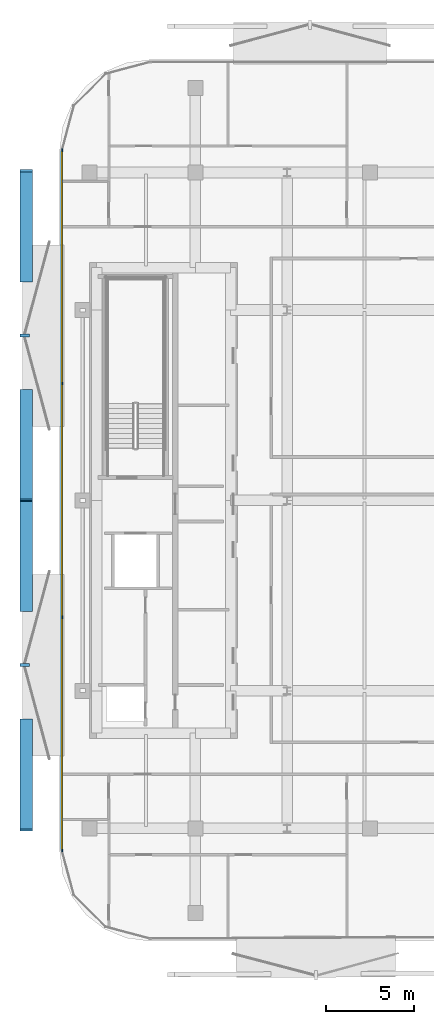
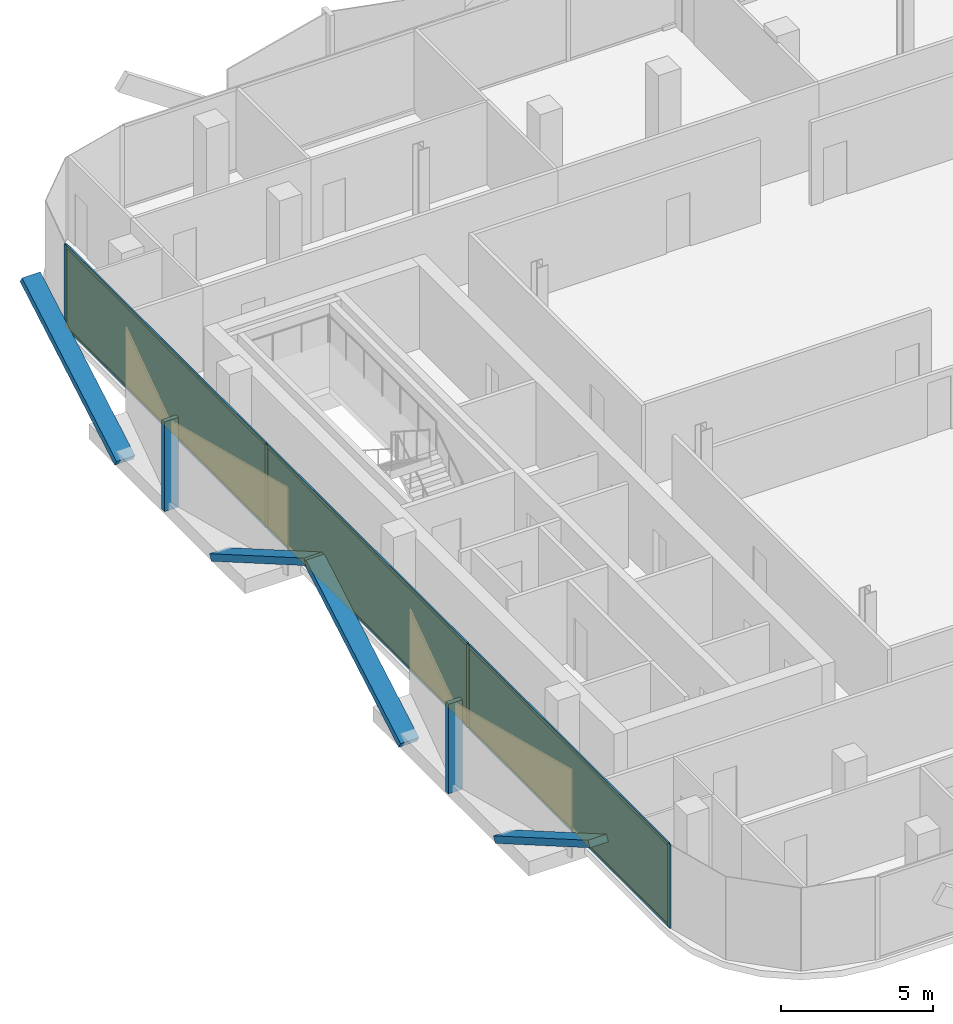
# One storey, part 8 of 14: 16 members, 3 plates, 1 curtain wall.
"""IFC4 building model written with IfcOpenShell, lengths in metres."""

from ifc_helpers import new_model, si_unit, direction, frame, frame_2d, origin, origin_2d, place, context, subcontext, project, spatial, rectangle, extrude, material, layer, layer_set, material_profile, profile_set, type_object, element, aggregate, save


model = new_model("IFC4")

# Units and contexts
model_context = context("Model", 3, precision=1e-05, world=origin(), true_north=direction((0.0, 1.0)))
body_context = subcontext(model_context, "Body", "Model", "MODEL_VIEW")
ifc_project = project(units=[si_unit("LENGTHUNIT", "METRE"), si_unit("AREAUNIT", "SQUARE_METRE"), si_unit("VOLUMEUNIT", "CUBIC_METRE"), si_unit("PLANEANGLEUNIT", "RADIAN"), si_unit("MASSUNIT", "GRAM", prefix="KILO")], contexts=[model_context])

# Member
ifc_material_1 = material(Name="Anodised Bronze Aluminium 6063-T6", Category="aluminium")
ifc_material_profile_1 = material_profile(ifc_material_1, rectangle(XDim=0.260009765625, YDim=0.699951171875, at=origin_2d()))
ifc_profile_set_1 = profile_set([ifc_material_profile_1], Name="Anodised Bronze Aluminium 6063-T6")
member_type_1 = type_object("IfcMemberType", Name="Bronze Diamond Solar-Screen Lattice Rib BDL-700", PredefinedType="MULLION", material=ifc_profile_set_1)
site_placement = place(None, origin())
building_placement = place(site_placement, origin())
storey_placement = place(building_placement, frame((0.0, 0.0, 240.39990234375)))
member_1_placement = place(storey_placement, frame((-24.0, -6.230224609375, -0.1298828125), z_axis=(0.0, 0.865840250196, 0.500320558383), x_axis=(0.0, -0.500320558383, 0.865840250196)))
member_1 = element("IfcMember", 1, at=member_1_placement, type_object=member_type_1, Name="L56 Bronze Diamond Solar Screen Lattice Rib 379A", PredefinedType="MULLION", context=body_context, shape_type="SweptSolid", body=[
    extrude(rectangle(XDim=0.260009765625, YDim=0.699951171875, at=origin_2d()), origin(), (0.0, 0.0, 1.0), 7.195556640625),
])

member_2_placement = place(storey_placement, frame((-24.0, -12.46044921875, -0.1298828125), z_axis=(0.0, -0.865848743011, 0.500305860676), x_axis=(0.0, 0.500305860676, 0.865848743011)))
member_2 = element("IfcMember", 2, at=member_2_placement, type_object=member_type_1, Name="L56 Bronze Diamond Solar Screen Lattice Rib 379B", PredefinedType="MULLION", context=body_context, shape_type="SweptSolid", body=[
    extrude(rectangle(XDim=0.260009765625, YDim=0.699951171875, at=origin_2d()), origin(), (0.0, 0.0, 1.0), 7.19580078125),
])

member_3_placement = place(storey_placement, frame((-24.0, 12.46044921875, -0.1298828125), z_axis=(0.0, 0.865848743011, 0.500305860676), x_axis=(0.0, -0.500305860676, 0.865848743011)))
member_3 = element("IfcMember", 3, at=member_3_placement, type_object=member_type_1, Name="L56 Bronze Diamond Solar Screen Lattice Rib 380A", PredefinedType="MULLION", context=body_context, shape_type="SweptSolid", body=[
    extrude(rectangle(XDim=0.260009765625, YDim=0.699951171875, at=origin_2d()), origin(), (0.0, 0.0, 1.0), 7.19580078125),
])

member_4_placement = place(storey_placement, frame((-24.0, 6.230224609375, -0.1298828125), z_axis=(0.0, -0.865840250196, 0.500320558383), x_axis=(0.0, 0.500320558383, 0.865840250196)))
member_4 = element("IfcMember", 4, at=member_4_placement, type_object=member_type_1, Name="L56 Bronze Diamond Solar Screen Lattice Rib 380B", PredefinedType="MULLION", context=body_context, shape_type="SweptSolid", body=[
    extrude(rectangle(XDim=0.260009765625, YDim=0.699951171875, at=origin_2d()), origin(), (0.0, 0.0, 1.0), 7.195556640625),
])

ifc_material_2 = material(Name="Anodised Bronze Aluminium 6063-T6", Category="aluminium")
ifc_material_profile_2 = material_profile(ifc_material_2, rectangle(XDim=0.179931640625, YDim=0.5400390625, at=origin_2d()))
ifc_profile_set_2 = profile_set([ifc_material_profile_2], Name="Anodised Bronze Aluminium 6063-T6")
member_type_2 = type_object("IfcMemberType", Name="Bronze Solar-Screen Vertical Fold Fin BSF-540", PredefinedType="MULLION", material=ifc_profile_set_2)
member_5_placement = place(storey_placement, frame((-24.080078125, -9.345458984375, -0.1298828125), z_axis=(0.0, 0.0, 1.0), x_axis=(0.0, 1.0, 0.0)))
member_5 = element("IfcMember", 5, at=member_5_placement, type_object=member_type_2, Name="L56 Bronze Solar Screen Vertical Fin 379", PredefinedType="MULLION", context=body_context, shape_type="SweptSolid", body=[
    extrude(rectangle(XDim=0.179931640625, YDim=0.5400390625, at=origin_2d()), origin(), (0.0, 0.0, 1.0), 3.60009765625),
])

member_6_placement = place(storey_placement, frame((-24.080078125, 9.345458984375, -0.1298828125), z_axis=(0.0, 0.0, 1.0), x_axis=(0.0, 1.0, 0.0)))
member_6 = element("IfcMember", 6, at=member_6_placement, type_object=member_type_2, Name="L56 Bronze Solar Screen Vertical Fin 380", PredefinedType="MULLION", context=body_context, shape_type="SweptSolid", body=[
    extrude(rectangle(XDim=0.179931640625, YDim=0.5400390625, at=origin_2d()), origin(), (0.0, 0.0, 1.0), 3.60009765625),
])

ifc_material_3 = material(Name="Anodised Bronze Aluminium 6063-T6", Category="aluminium")
ifc_material_profile_3 = material_profile(ifc_material_3, rectangle(XDim=0.06005859375, YDim=0.159912109375, at=origin_2d()))
ifc_profile_set_3 = profile_set([ifc_material_profile_3], Name="Anodised Bronze Aluminium 6063-T6")
member_type_3 = type_object("IfcMemberType", Name="CW-Z4 Mullion 60x160", PredefinedType="MULLION", material=ifc_profile_set_3)
member_7_placement = place(storey_placement, frame((-21.9599609375, -19.86083984375, 0.0), z_axis=(0.0, 0.0, 1.0), x_axis=(-1.0, 0.0, 0.0)))
member_7 = element("IfcMember", 7, at=member_7_placement, type_object=member_type_3, Name="CW-Z4 mullion 1", PredefinedType="MULLION", context=body_context, shape_type="SweptSolid", body=[
    extrude(rectangle(XDim=0.06005859375, YDim=0.159912109375, at=origin_2d()), origin(), (0.0, 0.0, 1.0), 3.340087890625),
])

member_8_placement = place(storey_placement, frame((-21.9599609375, -6.63037109375, 0.0), z_axis=(0.0, 0.0, 1.0), x_axis=(-1.0, 0.0, 0.0)))
member_8 = element("IfcMember", 8, at=member_8_placement, type_object=member_type_3, Name="CW-Z4 mullion 2", PredefinedType="MULLION", context=body_context, shape_type="SweptSolid", body=[
    extrude(rectangle(XDim=0.06005859375, YDim=0.159912109375, at=origin_2d()), origin(), (0.0, 0.0, 1.0), 3.340087890625),
])

member_9_placement = place(storey_placement, frame((-21.9599609375, 6.63037109375, 0.0), z_axis=(0.0, 0.0, 1.0), x_axis=(-1.0, 0.0, 0.0)))
member_9 = element("IfcMember", 9, at=member_9_placement, type_object=member_type_3, Name="CW-Z4 mullion 3", PredefinedType="MULLION", context=body_context, shape_type="SweptSolid", body=[
    extrude(rectangle(XDim=0.06005859375, YDim=0.159912109375, at=origin_2d()), origin(), (0.0, 0.0, 1.0), 3.340087890625),
])

member_10_placement = place(storey_placement, frame((-21.9599609375, 19.86083984375, 0.0), z_axis=(0.0, 0.0, 1.0), x_axis=(-1.0, 0.0, 0.0)))
member_10 = element("IfcMember", 10, at=member_10_placement, type_object=member_type_3, Name="CW-Z4 mullion 4", PredefinedType="MULLION", context=body_context, shape_type="SweptSolid", body=[
    extrude(rectangle(XDim=0.06005859375, YDim=0.159912109375, at=origin_2d()), origin(), (0.0, 0.0, 1.0), 3.340087890625),
])

ifc_material_4 = material(Name="Anodised Bronze Aluminium 6063-T6", Category="aluminium")
ifc_material_profile_4 = material_profile(ifc_material_4, rectangle(XDim=0.06005859375, YDim=0.125, at=origin_2d()))
ifc_profile_set_4 = profile_set([ifc_material_profile_4], Name="Anodised Bronze Aluminium 6063-T6")
member_type_4 = type_object("IfcMemberType", Name="CW-Z4 Transom 60x125", PredefinedType="USERDEFINED", material=ifc_profile_set_4)
member_11_placement = place(storey_placement, frame((-21.9599609375, -19.830810546875, 0.030029296875), z_axis=(0.0, 1.0, 0.0), x_axis=(-1.0, 0.0, 0.0)))
member_11 = element("IfcMember", 11, at=member_11_placement, type_object=member_type_4, Name="CW-Z4 transom 1.1", ObjectType="TRANSOM", PredefinedType="USERDEFINED", context=body_context, shape_type="SweptSolid", body=[
    extrude(rectangle(XDim=0.06005859375, YDim=0.125, at=origin_2d()), origin(), (0.0, 0.0, 1.0), 13.170654296875),
])

member_12_placement = place(storey_placement, frame((-21.9599609375, -19.830810546875, 3.31005859375), z_axis=(0.0, 1.0, 0.0), x_axis=(-1.0, 0.0, 0.0)))
member_12 = element("IfcMember", 12, at=member_12_placement, type_object=member_type_4, Name="CW-Z4 transom 1.2", ObjectType="TRANSOM", PredefinedType="USERDEFINED", context=body_context, shape_type="SweptSolid", body=[
    extrude(rectangle(XDim=0.06005859375, YDim=0.125, at=origin_2d()), origin(), (0.0, 0.0, 1.0), 13.170654296875),
])

member_13_placement = place(storey_placement, frame((-21.9599609375, -6.600341796875, 0.030029296875), z_axis=(0.0, 1.0, 0.0), x_axis=(-1.0, 0.0, 0.0)))
member_13 = element("IfcMember", 13, at=member_13_placement, type_object=member_type_4, Name="CW-Z4 transom 2.1", ObjectType="TRANSOM", PredefinedType="USERDEFINED", context=body_context, shape_type="SweptSolid", body=[
    extrude(rectangle(XDim=0.06005859375, YDim=0.125, at=origin_2d()), origin(), (0.0, 0.0, 1.0), 13.20068359375),
])

member_14_placement = place(storey_placement, frame((-21.9599609375, -6.600341796875, 3.31005859375), z_axis=(0.0, 1.0, 0.0), x_axis=(-1.0, 0.0, 0.0)))
member_14 = element("IfcMember", 14, at=member_14_placement, type_object=member_type_4, Name="CW-Z4 transom 2.2", ObjectType="TRANSOM", PredefinedType="USERDEFINED", context=body_context, shape_type="SweptSolid", body=[
    extrude(rectangle(XDim=0.06005859375, YDim=0.125, at=origin_2d()), origin(), (0.0, 0.0, 1.0), 13.20068359375),
])

member_15_placement = place(storey_placement, frame((-21.9599609375, 6.66015625, 0.030029296875), z_axis=(0.0, 1.0, 0.0), x_axis=(-1.0, 0.0, 0.0)))
member_15 = element("IfcMember", 15, at=member_15_placement, type_object=member_type_4, Name="CW-Z4 transom 3.1", ObjectType="TRANSOM", PredefinedType="USERDEFINED", context=body_context, shape_type="SweptSolid", body=[
    extrude(rectangle(XDim=0.06005859375, YDim=0.125, at=origin_2d()), origin(), (0.0, 0.0, 1.0), 13.170654296875),
])

member_16_placement = place(storey_placement, frame((-21.9599609375, 6.66015625, 3.31005859375), z_axis=(0.0, 1.0, 0.0), x_axis=(-1.0, 0.0, 0.0)))
member_16 = element("IfcMember", 16, at=member_16_placement, type_object=member_type_4, Name="CW-Z4 transom 3.2", ObjectType="TRANSOM", PredefinedType="USERDEFINED", context=body_context, shape_type="SweptSolid", body=[
    extrude(rectangle(XDim=0.06005859375, YDim=0.125, at=origin_2d()), origin(), (0.0, 0.0, 1.0), 13.170654296875),
])

# Plate
ifc_material_5 = material(Name="Low-E Solar Control Laminated Glass", Category="glass")
ifc_layer_1 = layer(ifc_material_5, 0.030029296875, Name="Low-E Solar Control Laminated Glass")
ifc_layer_set_1 = layer_set([ifc_layer_1], Name="Low-E Solar Control Laminated Glass")
plate_type = type_object("IfcPlateType", Name="CW-Z4 Low-E Double Glazed Panel 30mm", PredefinedType="CURTAIN_PANEL", material=ifc_layer_set_1)
plate_1_placement = place(storey_placement, frame((-21.9599609375, -13.24560546875, 0.06005859375), z_axis=(0.0, 0.0, 1.0), x_axis=(0.0, 1.0, 0.0)))
plate_1 = element("IfcPlate", 17, at=plate_1_placement, type_object=plate_type, Name="CW-Z4 panel 1.1", PredefinedType="CURTAIN_PANEL", context=body_context, shape_type="SweptSolid", body=[
    extrude(rectangle(XDim=13.170654296875, YDim=0.030029296875, at=origin_2d()), origin(), (0.0, 0.0, 1.0), 3.219970703125),
])

plate_2_placement = place(storey_placement, frame((-21.9599609375, 0.0, 0.06005859375), z_axis=(0.0, 0.0, 1.0), x_axis=(0.0, 1.0, 0.0)))
plate_2 = element("IfcPlate", 18, at=plate_2_placement, type_object=plate_type, Name="CW-Z4 panel 2.1", PredefinedType="CURTAIN_PANEL", context=body_context, shape_type="SweptSolid", body=[
    extrude(rectangle(XDim=13.200439453125, YDim=0.030029296875, at=origin_2d()), origin(), (0.0, 0.0, 1.0), 3.219970703125),
])

plate_3_placement = place(storey_placement, frame((-21.9599609375, 13.24560546875, 0.06005859375), z_axis=(0.0, 0.0, 1.0), x_axis=(0.0, 1.0, 0.0)))
plate_3 = element("IfcPlate", 19, at=plate_3_placement, type_object=plate_type, Name="CW-Z4 panel 3.1", PredefinedType="CURTAIN_PANEL", context=body_context, shape_type="SweptSolid", body=[
    extrude(rectangle(XDim=13.170654296875, YDim=0.030029296875, at=origin_2d()), origin(), (0.0, 0.0, 1.0), 3.219970703125),
])

# Site, building, storey
site = spatial("IfcSite", under=ifc_project, at=site_placement, CompositionType="ELEMENT")
building = spatial("IfcBuilding", under=site, at=building_placement, Name="Khairoan Windgate Tower", CompositionType="ELEMENT")
storey = spatial("IfcBuildingStorey", under=building, at=storey_placement, Name="L56", CompositionType="ELEMENT", Elevation=240.39990234375)

# Curtain wall
ifc_material_6 = material(Name="Anodised Bronze Aluminium 6063-T6", Category="aluminium")
ifc_layer_2 = layer(ifc_material_6, 0.159912109375, Name="Anodised Bronze Aluminium 6063-T6")
ifc_layer_set_2 = layer_set([ifc_layer_2], Name="Anodised Bronze Aluminium 6063-T6")
curtain_wall_type = type_object("IfcCurtainWallType", Name="Sky Residence Unitised Curtain Wall CW-Z4", PredefinedType="NOTDEFINED", material=ifc_layer_set_2)
curtain_wall_placement = place(storey_placement, frame((-21.9599609375, -19.890869140625, 0.0), z_axis=(0.0, 0.0, 1.0), x_axis=(0.0, 1.0, 0.0)))
curtain_wall = element("IfcCurtainWall", 20, at=curtain_wall_placement, inside=storey, type_object=curtain_wall_type, Name="L56 Unitised Curtain Wall 5", PredefinedType="NOTDEFINED", context=body_context, shape_type="SweptSolid", body=[
    extrude(rectangle(XDim=39.78173828125, YDim=0.010009765625, at=frame_2d((19.890869140625, 0.0))), origin(), (0.0, 0.0, 1.0), 3.340087890625),
])

aggregate(curtain_wall, [member_7, member_8, member_9, member_10, member_11, member_12, plate_1, member_13, member_14, plate_2, member_15, member_16, plate_3, member_1, member_2, member_5, member_3, member_4, member_6])

save(model, "model.ifc")
